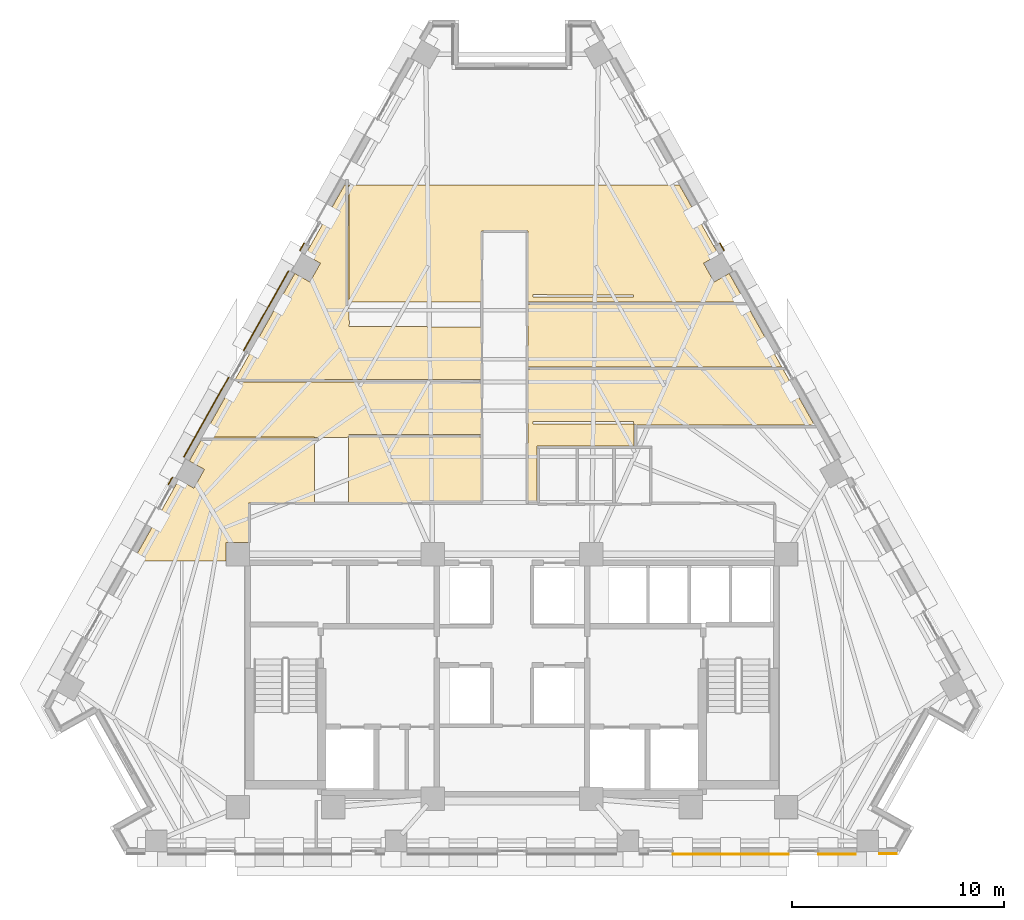
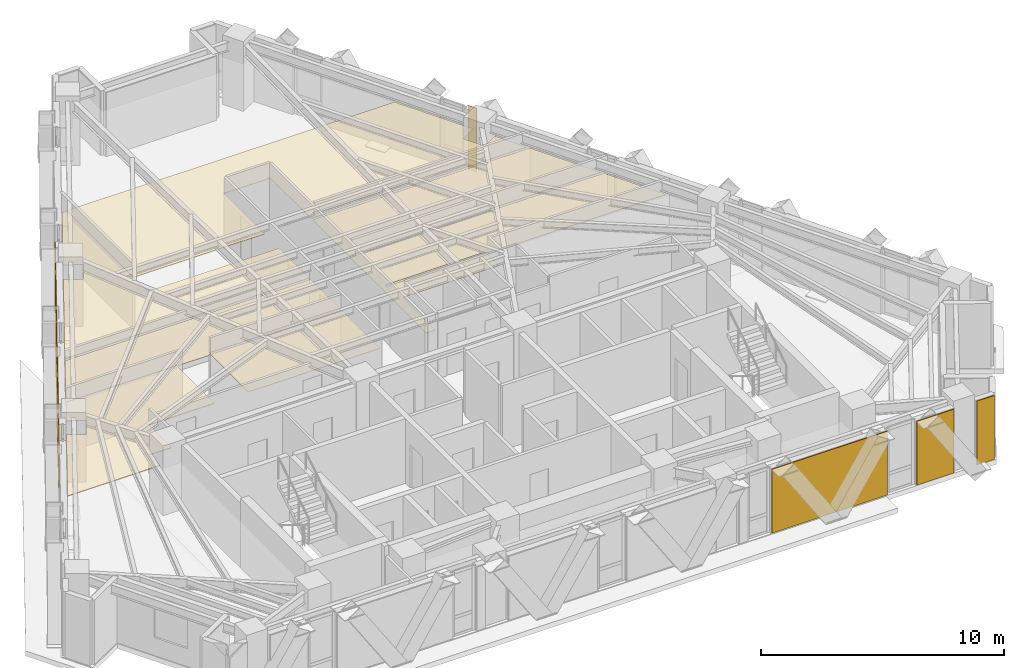
# One storey, part 11 of 13: 15 coverings.
"""IFC4 building model written with IfcOpenShell, lengths in metres."""

import ifcopenshell
import ifcopenshell.guid

model = None  # the IFC model being written
_history = None  # IfcOwnerHistory: only IFC2X3 demands one
_inside = {}  # id of a spatial element -> (the spatial element, [elements in it])
_under = {}  # id of a project, library or spatial element -> (it, [spatial elements below it])
_declared = {}  # id of a project -> (the project, [libraries it declares])
_typed = {}  # id of a type object -> (the type object, [elements of that type])
_made_of = {}  # id of a material, layer set ... -> (it, [elements and type objects made of it])


def new_model(schema):
    """Start an empty IFC model of exactly this schema.

    Asked for "IFC4X3", IfcOpenShell would pick the latest addendum, in which some entities
    have other attributes; the version numbers below select the first issue.
    IFC2X3 requires an IfcOwnerHistory on every rooted entity: one is made here for all.
    """
    global model, _history
    if schema == "IFC4X3":
        model = ifcopenshell.file(schema_version=(4, 3, 0, 0))
    else:
        model = ifcopenshell.file(schema=schema)
    _inside.clear()
    _under.clear()
    _declared.clear()
    _typed.clear()
    _made_of.clear()
    _history = None
    if model.schema == "IFC2X3":
        org = make("IfcOrganization", Name="unknown")
        user = make(
            "IfcPersonAndOrganization",
            ThePerson=make("IfcPerson", FamilyName="unknown"),
            TheOrganization=org,
        )
        app = make(
            "IfcApplication",
            ApplicationDeveloper=org,
            Version="unknown",
            ApplicationFullName="unknown",
            ApplicationIdentifier="unknown",
        )
        _history = make(
            "IfcOwnerHistory",
            OwningUser=user,
            OwningApplication=app,
            ChangeAction="ADDED",
            CreationDate=0,
        )
    return model


def make(cls, **values):
    """One entity of the class cls with the attributes given. An attribute that is None is left unset."""
    return model.create_entity(
        cls, **{name: value for name, value in values.items() if value is not None}
    )


def rooted(cls, **values):
    """An entity with a GlobalId (a new one), such as an element, a storey or a relation."""
    return make(cls, GlobalId=ifcopenshell.guid.new(), OwnerHistory=_history, **values)


def si_unit(unit_type, name, prefix=None):
    """IfcSIUnit, for example si_unit("LENGTHUNIT", "METRE", prefix="MILLI")."""
    return make("IfcSIUnit", UnitType=unit_type, Prefix=prefix, Name=name)


def assignment(units):
    """IfcUnitAssignment: the units of a project."""
    return None if units is None else make("IfcUnitAssignment", Units=units)


def point(xyz):
    """IfcCartesianPoint."""
    return None if xyz is None else make("IfcCartesianPoint", Coordinates=xyz)


def direction(xyz):
    """IfcDirection."""
    return None if xyz is None else make("IfcDirection", DirectionRatios=xyz)


def frame(location, z_axis=None, x_axis=None):
    """IfcAxis2Placement3D, a coordinate frame: its origin and axes. An axis left out is left unset."""
    return make(
        "IfcAxis2Placement3D",
        Location=point(location),
        Axis=direction(z_axis),
        RefDirection=direction(x_axis),
    )


def origin():
    """The frame at (0, 0, 0) with its axes left unset."""
    return frame((0.0, 0.0, 0.0))


def place(relative_to, where):
    """IfcLocalPlacement: puts the frame where relative to a parent placement (None: the world)."""
    return make(
        "IfcLocalPlacement", PlacementRelTo=relative_to, RelativePlacement=where
    )


def context(
    kind, dimensions, precision=None, world=None, true_north=None, identifier=None
):
    """IfcGeometricRepresentationContext, for example the 3D "Model" context."""
    return make(
        "IfcGeometricRepresentationContext",
        ContextIdentifier=identifier,
        ContextType=kind,
        CoordinateSpaceDimension=dimensions,
        Precision=precision,
        WorldCoordinateSystem=world,
        TrueNorth=true_north,
    )


def subcontext(parent, identifier, kind, view, scale=None):
    """IfcGeometricRepresentationSubContext, for example "Body" below "Model"."""
    return make(
        "IfcGeometricRepresentationSubContext",
        ContextIdentifier=identifier,
        ContextType=kind,
        ParentContext=parent,
        TargetScale=scale,
        TargetView=view,
    )


def project(units=None, contexts=None):
    """IfcProject with its units and contexts."""
    return rooted(
        "IfcProject",
        Name="project",
        RepresentationContexts=contexts,
        UnitsInContext=assignment(units),
    )


def spatial(cls, under=None, at=None, **own):
    """A site, building, storey or space (cls), placed at a placement, below another one or the project."""
    s = rooted(cls, ObjectPlacement=at, **own)
    if under is not None:
        _under.setdefault(under.id(), (under, []))[1].append(s)
    return s


def polyline(points):
    """IfcPolyline through the points."""
    return make("IfcPolyline", Points=[point(p) for p in points])


def outline(outer, holes=None, kind="AREA"):
    """IfcArbitraryClosedProfileDef: a profile drawn as a closed curve; with holes, ...WithVoids."""
    if holes is None:
        return make("IfcArbitraryClosedProfileDef", ProfileType=kind, OuterCurve=outer)
    return make(
        "IfcArbitraryProfileDefWithVoids",
        ProfileType=kind,
        OuterCurve=outer,
        InnerCurves=holes,
    )


def extrude(swept, where, along, depth):
    """IfcExtrudedAreaSolid: the profile swept, set in the frame where, extruded along a direction by depth."""
    return make(
        "IfcExtrudedAreaSolid",
        SweptArea=swept,
        Position=where,
        ExtrudedDirection=direction(along),
        Depth=depth,
    )


def shape(context_of_items, identifier, shape_type, items):
    """IfcShapeRepresentation: the items that make up one representation, for example the "Body"."""
    return make(
        "IfcShapeRepresentation",
        ContextOfItems=context_of_items,
        RepresentationIdentifier=identifier,
        RepresentationType=shape_type,
        Items=items,
    )


def material(Name=None, Category=None):
    """IfcMaterial."""
    return make("IfcMaterial", Name=Name, Category=Category)


def layer(
    of_material, thickness, ventilated=None, Name=None, Category=None, Priority=None
):
    """IfcMaterialLayer: one layer of a wall or slab, of a material (None: an air gap)."""
    return make(
        "IfcMaterialLayer",
        Material=of_material,
        LayerThickness=thickness,
        IsVentilated=ventilated,
        Name=Name,
        Category=Category,
        Priority=Priority,
    )


def layer_set(layers, Name=None):
    """IfcMaterialLayerSet."""
    return make("IfcMaterialLayerSet", MaterialLayers=layers, LayerSetName=Name)


def made_of(thing, what):
    """Note that an element or type object is made of a material, layer set ...; save() writes the relation."""
    if what is not None:
        _made_of.setdefault(what.id(), (what, []))[1].append(thing)
    return thing


def type_object(cls, material=None, **own):
    """A type object (cls), such as IfcWallType, which elements share."""
    return made_of(rooted(cls, **own), material)


def element(
    cls,
    number,
    at=None,
    inside=None,
    cuts=None,
    type_object=None,
    material=None,
    context=None,
    identifier="Body",
    shape_type=None,
    held_by="IfcProductDefinitionShape",
    body=None,
    shapes=None,
    **own,
):
    """One element of the class cls, such as IfcWall. Its Tag is "e" and its number.

    at: its placement. inside: the storey or other place that contains it. cuts: it is an
    opening in that element (IfcRelVoidsElement). A single representation is given by context,
    identifier, shape_type and body (its items); several are given by shapes. held_by: the class
    of the entity that holds the representations. save() writes the other relations.
    """
    e = rooted(cls, Tag="e%d" % number, ObjectPlacement=at, **own)
    if body is not None:
        shapes = [shape(context, identifier, shape_type, body)]
    if shapes is not None:
        e.Representation = make(held_by, Representations=shapes)
    if inside is not None:
        _inside.setdefault(inside.id(), (inside, []))[1].append(e)
    if cuts is not None:
        rooted(
            "IfcRelVoidsElement", RelatingBuildingElement=cuts, RelatedOpeningElement=e
        )
    if type_object is not None:
        _typed.setdefault(type_object.id(), (type_object, []))[1].append(e)
    return made_of(e, material)


def aggregate(whole, parts):
    """IfcRelAggregates: a whole, such as a stair, and the parts it consists of."""
    return rooted("IfcRelAggregates", RelatingObject=whole, RelatedObjects=parts)


def save(model, path):
    """Write the relations noted so far, then the file.

    IfcRelAggregates (storeys below a building ...), IfcRelContainedInSpatialStructure (elements
    in a storey), IfcRelDefinesByType, IfcRelAssociatesMaterial and IfcRelDeclares: one each for
    every whole, place, type object, material and project.
    """
    for whole, parts in _under.values():
        aggregate(whole, parts)
    for where, things in _inside.values():
        rooted(
            "IfcRelContainedInSpatialStructure",
            RelatedElements=things,
            RelatingStructure=where,
        )
    for kind, things in _typed.values():
        rooted("IfcRelDefinesByType", RelatedObjects=things, RelatingType=kind)
    for what, things in _made_of.values():
        rooted("IfcRelAssociatesMaterial", RelatedObjects=things, RelatingMaterial=what)
    for by, libraries in _declared.values():
        rooted("IfcRelDeclares", RelatingContext=by, RelatedDefinitions=libraries)
    model.write(path)


model = new_model("IFC4")

# Units and contexts
model_context = context("Model", 3, precision=1e-05, world=origin(), true_north=direction((0.0, 1.0)))
body_context = subcontext(model_context, "Body", "Model", "MODEL_VIEW")
ifc_project = project(units=[si_unit("LENGTHUNIT", "METRE"), si_unit("AREAUNIT", "SQUARE_METRE"), si_unit("VOLUMEUNIT", "CUBIC_METRE"), si_unit("PLANEANGLEUNIT", "RADIAN"), si_unit("MASSUNIT", "GRAM", prefix="KILO")], contexts=[model_context])

# Site, building, storey
site_placement = place(None, origin())
site = spatial("IfcSite", under=ifc_project, at=site_placement, CompositionType="ELEMENT")
building_placement = place(site_placement, origin())
building = spatial("IfcBuilding", under=site, at=building_placement, Name="Quenlor Broadcast Tower", CompositionType="ELEMENT")
storey_placement = place(building_placement, frame((0.0, 0.0, 130.0)))
storey = spatial("IfcBuildingStorey", under=building, at=storey_placement, Name="L35", CompositionType="ELEMENT", Elevation=130.0)

# Coverings
ifc_material_1 = material(Name="Acoustic Mineral Fibre Board", Category="other")
ifc_layer_1 = layer(ifc_material_1, 0.02490234375)
ifc_layer_set_1 = layer_set([ifc_layer_1], Name="Acoustic Perforated Mineral Tile Ceiling 25")
covering_type_1 = type_object("IfcCoveringType", Name="Acoustic Perforated Mineral Tile Ceiling 25", PredefinedType="CEILING", material=ifc_layer_set_1)
covering_1_placement = place(storey_placement, frame((0.0, 0.0, 2.375)))
element("IfcCovering", 1, at=covering_1_placement, inside=storey, type_object=covering_type_1, Name="L35 Acoustic Ceiling L35-28", PredefinedType="CEILING", context=body_context, shape_type="SweptSolid", body=[
    extrude(outline(polyline([(-7.719970703125, 12.64990234375), (7.90673828125, 12.64990234375), (9.76416015625, 9.347900390625), (9.05126953125, 8.947021484375), (9.54931640625, 8.0615234375), (10.26220703125, 8.46240234375), (10.809326171875, 7.489990234375), (11.015869140625, 7.122802734375), (0.75, 7.122802734375), (0.75, 10.47998046875), (-1.449951171875, 10.47998046875), (-1.449951171875, 7.122802734375), (-7.719970703125, 7.122802734375), (-7.719970703125, 12.64990234375)]), holes=[polyline([(5.730712890625, 7.4453125), (1.0, 7.4599609375), (1.0, 7.340087890625), (5.72998046875, 7.340087890625), (5.73291015625, 7.369384765625), (5.74267578125, 7.39990234375), (5.736572265625, 7.41650390625), (5.730712890625, 7.4453125)])]), origin(), (0.0, 0.0, 1.0), 0.02490234375),
])
covering_2_placement = place(storey_placement, frame((0.0, 0.0, 2.375)))
element("IfcCovering", 2, at=covering_2_placement, inside=storey, type_object=covering_type_1, Name="L35 Acoustic Ceiling L35-29", PredefinedType="CEILING", context=body_context, shape_type="SweptSolid", body=[
    extrude(outline(polyline([(-1.449951171875, 3.4599609375), (-13.076171875, 3.4599609375), (-11.68701171875, 5.929443359375), (-10.26220703125, 8.46240234375), (-9.54931640625, 8.0615234375), (-9.05126953125, 8.947021484375), (-9.76416015625, 9.347900390625), (-7.90673828125, 12.64990234375), (-7.690673828125, 12.64990234375), (-7.68994140625, 6.06005859375), (-7.69287109375, 6.03076171875), (-7.701416015625, 6.002685546875), (-7.696533203125, 5.9833984375), (-7.690673828125, 5.95458984375), (-1.449951171875, 5.93994140625), (-1.449951171875, 3.4599609375)])), origin(), (0.0, 0.0, 1.0), 0.02490234375),
])
covering_3_placement = place(storey_placement, frame((0.0, 0.0, 2.375)))
element("IfcCovering", 3, at=covering_3_placement, inside=storey, type_object=covering_type_1, Name="L35 Acoustic Ceiling L35-30", PredefinedType="CEILING", context=body_context, shape_type="SweptSolid", body=[
    extrude(outline(polyline([(11.083251953125, 7.002685546875), (12.752685546875, 4.034912109375), (0.75, 4.034912109375), (0.75, 7.002685546875), (11.083251953125, 7.002685546875)])), origin(), (0.0, 0.0, 1.0), 0.02490234375),
])
covering_4_placement = place(storey_placement, frame((0.0, 0.0, 2.375)))
element("IfcCovering", 4, at=covering_4_placement, inside=storey, type_object=covering_type_1, Name="L35 Acoustic Ceiling L35-31", PredefinedType="CEILING", context=body_context, shape_type="SweptSolid", body=[
    extrude(outline(polyline([(5.8798828125, 1.31005859375), (5.8505859375, 1.31298828125), (5.822509765625, 1.3212890625), (5.796630859375, 1.335205078125), (5.77392578125, 1.35400390625), (5.75537109375, 1.376708984375), (5.741455078125, 1.402587890625), (5.73291015625, 1.4306640625), (5.72998046875, 1.4599609375), (1.0, 1.4599609375), (1.0, 1.340087890625), (5.760009765625, 1.340087890625), (5.760009765625, 0.320068359375), (1.179931640625, 0.320068359375), (1.179931640625, -2.3701171875), (0.75, -2.3701171875), (0.75, 3.9150390625), (12.8203125, 3.9150390625), (14.274658203125, 1.329345703125), (14.2451171875, 1.316650390625), (14.216064453125, 1.310791015625), (5.8798828125, 1.31005859375)])), origin(), (0.0, 0.0, 1.0), 0.02490234375),
])
covering_5_placement = place(storey_placement, frame((0.0, 0.0, 2.375)))
element("IfcCovering", 5, at=covering_5_placement, inside=storey, type_object=covering_type_1, Name="L35 Acoustic Ceiling L35-32", PredefinedType="CEILING", context=body_context, shape_type="SweptSolid", body=[
    extrude(outline(polyline([(-7.701416015625, 0.802490234375), (-7.71533203125, 0.776611328125), (-7.73388671875, 0.75390625), (-7.756591796875, 0.7353515625), (-7.78271484375, 0.721435546875), (-7.810791015625, 0.712890625), (-7.840087890625, 0.7099609375), (-14.538818359375, 0.7099609375), (-14.568115234375, 0.712890625), (-14.5966796875, 0.7216796875), (-14.612060546875, 0.7294921875), (-13.143798828125, 3.340087890625), (-1.449951171875, 3.340087890625), (-1.449951171875, 0.860107421875), (-7.68994140625, 0.860107421875), (-7.69287109375, 0.830810546875), (-7.701416015625, 0.802490234375)])), origin(), (0.0, 0.0, 1.0), 0.02490234375),
])
covering_6_placement = place(storey_placement, frame((0.0, 0.0, 2.375)))
element("IfcCovering", 6, at=covering_6_placement, inside=storey, type_object=covering_type_1, Name="L35 Acoustic Ceiling L35-33", PredefinedType="CEILING", context=body_context, shape_type="SweptSolid", body=[
    extrude(outline(polyline([(-1.449951171875, 0.739990234375), (-1.449951171875, -2.3701171875), (-7.719970703125, -2.3701171875), (-7.719970703125, 0.739990234375), (-1.449951171875, 0.739990234375)])), origin(), (0.0, 0.0, 1.0), 0.02490234375),
])
ifc_material_2 = material(Name="Acoustic Gypsum Board", Category="other")
ifc_layer_2 = layer(ifc_material_2, 0.0400390625)
ifc_layer_set_2 = layer_set([ifc_layer_2], Name="Broadcast Studio Spring Isolated Ceiling 40")
covering_type_2 = type_object("IfcCoveringType", Name="Broadcast Studio Spring Isolated Ceiling 40", PredefinedType="CEILING", material=ifc_layer_set_2)
covering_7_placement = place(storey_placement, frame((0.0, 0.0, 2.360107421875)))
element("IfcCovering", 7, at=covering_7_placement, inside=storey, type_object=covering_type_2, Name="L35 Acoustic Ceiling L35-34", PredefinedType="CEILING", context=body_context, shape_type="SweptSolid", body=[
    extrude(outline(polyline([(-15.7431640625, -1.281494140625), (-15.0302734375, -1.6826171875), (-14.5322265625, -0.797119140625), (-15.2451171875, -0.39599609375), (-14.606201171875, 0.739990234375), (-9.3291015625, 0.739990234375), (-9.3291015625, -2.3701171875), (-12.43994140625, -2.3701171875), (-12.43994140625, -4.241943359375), (-13.508056640625, -4.241943359375), (-13.508056640625, -5.1201171875), (-15.5400390625, -5.1201171875), (-15.659912109375, -5.1201171875), (-17.90234375, -5.1201171875), (-15.7431640625, -1.281494140625)])), origin(), (0.0, 0.0, 1.0), 0.039794921875),
])
ifc_material_3 = material(Name="Architectural Terracotta Ceramic", Category="masonry")
ifc_layer_3 = layer(ifc_material_3, 0.044921875)
ifc_layer_set_3 = layer_set([ifc_layer_3], Name="Fluted Terracotta Rainscreen Cladding Panel")
covering_type_3 = type_object("IfcCoveringType", Name="Fluted Terracotta Rainscreen Cladding Panel", PredefinedType="CLADDING", material=ifc_layer_set_3)
covering_8_placement = place(storey_placement, frame((0.0, 0.0, 0.02001953125)))
element("IfcCovering", 8, at=covering_8_placement, inside=storey, type_object=covering_type_3, Name="L35 Terracotta Rainscreen Cladding L35-SHD-SS0", PredefinedType="CLADDING", context=body_context, shape_type="SweptSolid", body=[
    extrude(outline(polyline([(18.179931640625, -18.93701171875), (17.343505859375, -18.93701171875), (17.343505859375, -18.98193359375), (18.179931640625, -18.98193359375), (18.179931640625, -18.93701171875)])), origin(), (0.0, 0.0, 1.0), 3.2099609375),
])
covering_9_placement = place(storey_placement, frame((0.0, 0.0, 0.02001953125)))
element("IfcCovering", 9, at=covering_9_placement, inside=storey, type_object=covering_type_3, Name="L35 Terracotta Rainscreen Cladding L35-SA-SP1", PredefinedType="CLADDING", context=body_context, shape_type="SweptSolid", body=[
    extrude(outline(polyline([(16.25341796875, -18.95703125), (14.47509765625, -18.95703125), (14.47509765625, -19.001953125), (16.25341796875, -19.001953125), (16.25341796875, -18.95703125)])), origin(), (0.0, 0.0, 1.0), 3.2099609375),
])
covering_10_placement = place(storey_placement, frame((0.0, 0.0, 0.02001953125)))
element("IfcCovering", 10, at=covering_10_placement, inside=storey, type_object=covering_type_3, Name="L35 Terracotta Rainscreen Cladding L35-SA-SP2", PredefinedType="CLADDING", context=body_context, shape_type="SweptSolid", body=[
    extrude(outline(polyline([(13.076904296875, -18.95703125), (7.5869140625, -18.95703125), (7.5869140625, -19.001953125), (13.076904296875, -19.001953125), (13.076904296875, -18.95703125)])), origin(), (0.0, 0.0, 1.0), 3.2099609375),
])
covering_11_placement = place(storey_placement, frame((0.0, 0.0, 0.02001953125)))
element("IfcCovering", 11, at=covering_11_placement, inside=storey, type_object=covering_type_3, Name="L35 Terracotta Rainscreen Cladding L35-NEA-SP3", PredefinedType="CLADDING", context=body_context, shape_type="SweptSolid", body=[
    extrude(outline(polyline([(9.803955078125, 9.88330078125), (10.0, 9.53466796875), (10.039306640625, 9.556640625), (9.843017578125, 9.9052734375), (9.803955078125, 9.88330078125)])), origin(), (0.0, 0.0, 1.0), 3.2099609375),
])
covering_12_placement = place(storey_placement, frame((0.0, 0.0, 0.02001953125)))
element("IfcCovering", 12, at=covering_12_placement, inside=storey, type_object=covering_type_3, Name="L35 Terracotta Rainscreen Cladding L35-NWA-SP3", PredefinedType="CLADDING", context=body_context, shape_type="SweptSolid", body=[
    extrude(outline(polyline([(-16.22119140625, -1.525390625), (-16.025146484375, -1.1767578125), (-16.064453125, -1.15478515625), (-16.260498046875, -1.50341796875), (-16.22119140625, -1.525390625)])), origin(), (0.0, 0.0, 1.0), 3.2099609375),
])
covering_13_placement = place(storey_placement, frame((0.0, 0.0, 0.02001953125)))
element("IfcCovering", 13, at=covering_13_placement, inside=storey, type_object=covering_type_3, Name="L35 Terracotta Rainscreen Cladding L35-NWC-SP1", PredefinedType="CLADDING", context=body_context, shape_type="SweptSolid", body=[
    extrude(outline(polyline([(-10.0, 9.53466796875), (-9.803955078125, 9.88330078125), (-9.843017578125, 9.9052734375), (-10.039306640625, 9.556640625), (-10.0, 9.53466796875)])), origin(), (0.0, 0.0, 1.0), 3.2099609375),
])
covering_14_placement = place(storey_placement, frame((0.0, 0.0, 0.02001953125)))
element("IfcCovering", 14, at=covering_14_placement, inside=storey, type_object=covering_type_3, Name="L35 Terracotta Rainscreen Cladding L35-NW-SP1", PredefinedType="CLADDING", context=body_context, shape_type="SweptSolid", body=[
    extrude(outline(polyline([(-15.4833984375, -0.213623046875), (-13.367919921875, 3.547119140625), (-13.4072265625, 3.569091796875), (-15.522705078125, -0.191650390625), (-15.4833984375, -0.213623046875)])), origin(), (0.0, 0.0, 1.0), 3.2099609375),
])
covering_15_placement = place(storey_placement, frame((0.0, 0.0, 0.02001953125)))
element("IfcCovering", 15, at=covering_15_placement, inside=storey, type_object=covering_type_3, Name="L35 Terracotta Rainscreen Cladding L35-NW-SP2", PredefinedType="CLADDING", context=body_context, shape_type="SweptSolid", body=[
    extrude(outline(polyline([(-12.656982421875, 4.810791015625), (-10.541748046875, 8.571533203125), (-10.580810546875, 8.593505859375), (-12.6962890625, 4.832763671875), (-12.656982421875, 4.810791015625)])), origin(), (0.0, 0.0, 1.0), 3.2099609375),
])

save(model, "model.ifc")
